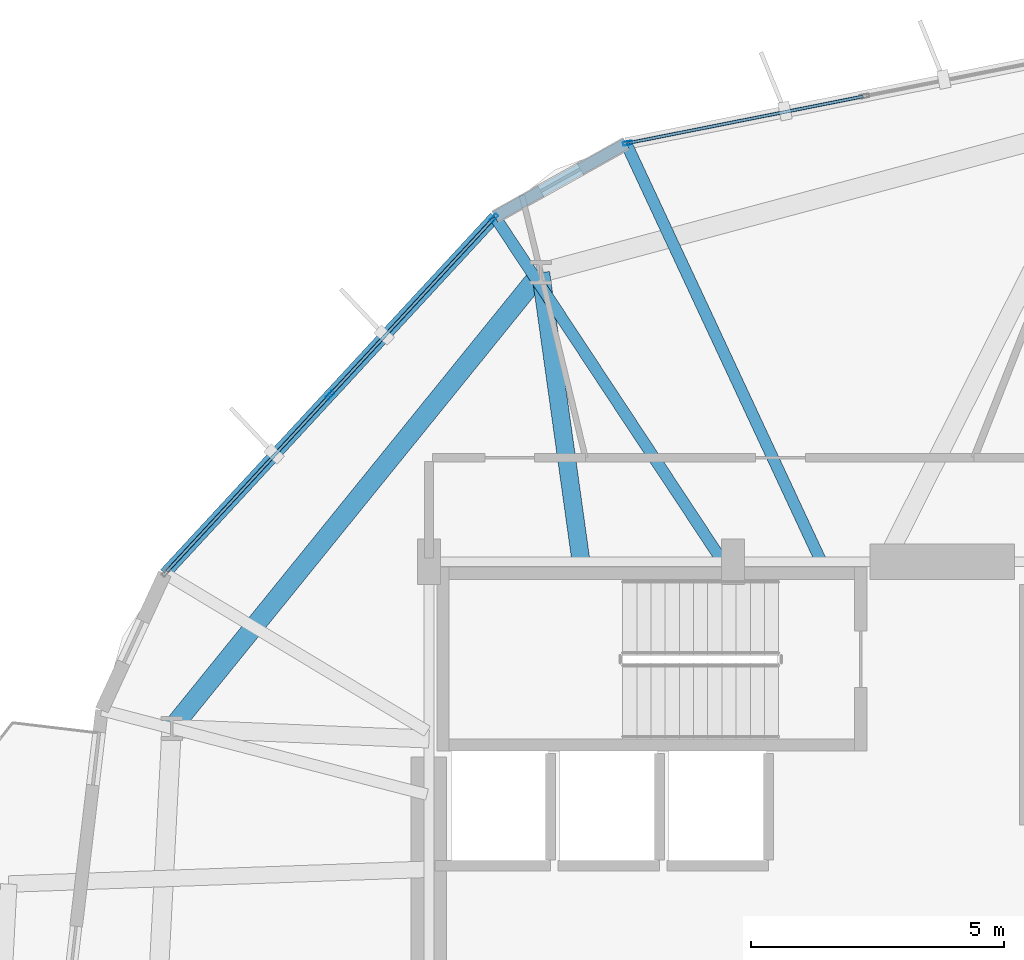
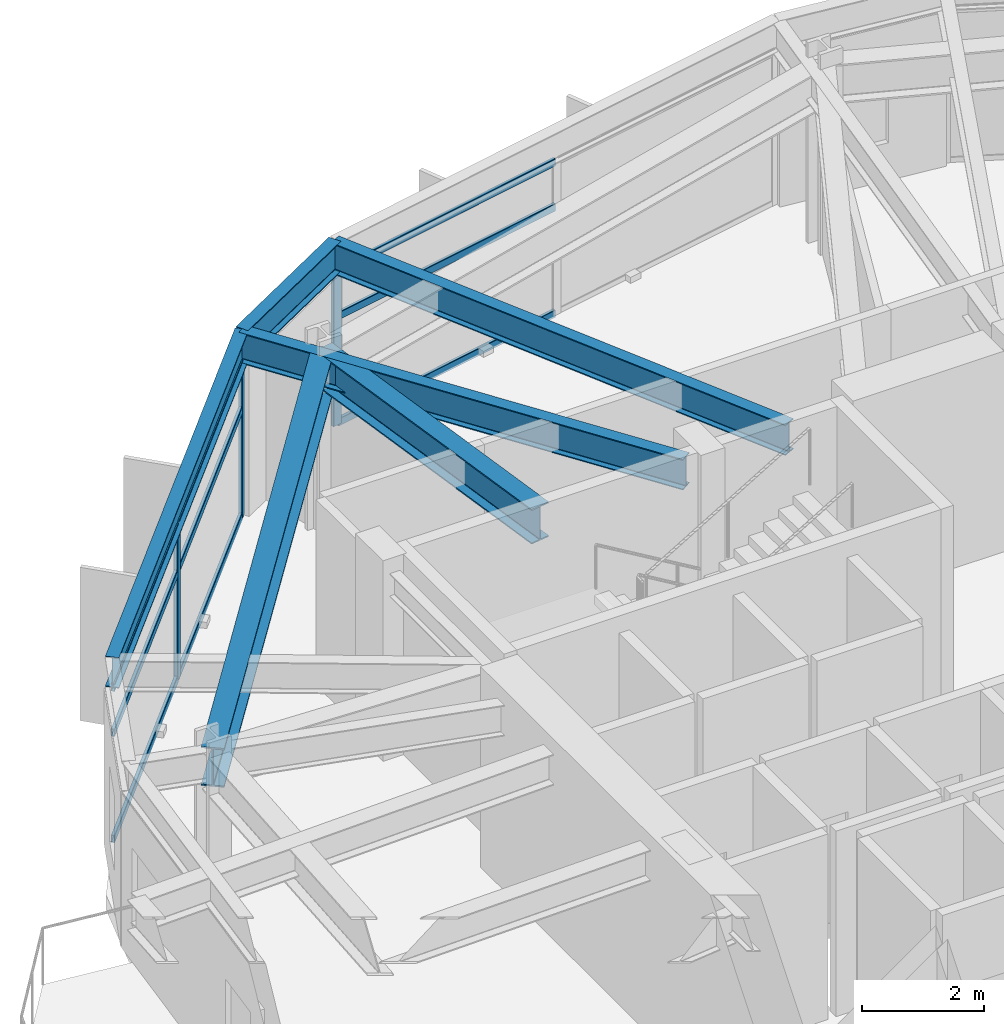
# One storey, part 12 of 22: 12 members, 6 beams, 2 elements without a shape of their own.
"""IFC4 building model written with IfcOpenShell, lengths in metres."""

from ifc_helpers import new_model, si_unit, direction, frame, origin, origin_2d, place, context, subcontext, project, spatial, hollow_rectangle, i_section, extrude, material, layer, layer_set, material_profile, profile_set, type_object, element, aggregate, save


model = new_model("IFC4")

# Units and contexts
model_context = context("Model", 3, precision=1e-05, world=origin(), true_north=direction((0.0, 1.0)))
body_context = subcontext(model_context, "Body", "Model", "MODEL_VIEW")
ifc_project = project(units=[si_unit("LENGTHUNIT", "METRE"), si_unit("AREAUNIT", "SQUARE_METRE"), si_unit("VOLUMEUNIT", "CUBIC_METRE"), si_unit("PLANEANGLEUNIT", "RADIAN"), si_unit("MASSUNIT", "GRAM", prefix="KILO")], contexts=[model_context])

# Site, building, storey
site_placement = place(None, origin())
site = spatial("IfcSite", under=ifc_project, at=site_placement, CompositionType="ELEMENT")
building_placement = place(site_placement, origin())
building = spatial("IfcBuilding", under=site, at=building_placement, Name="Soratama Intermodal Tower", CompositionType="ELEMENT")
storey_placement = place(building_placement, frame((0.0, 0.0, 70.60009765625)))
storey = spatial("IfcBuildingStorey", under=building, at=storey_placement, Name="L16", CompositionType="ELEMENT", Elevation=70.60009765625)

# Beams
ifc_material_1 = material(Name="Structural steel ASTM A992 Grade 50", Category="steel")
ifc_material_profile_1 = material_profile(ifc_material_1, i_section(OverallWidth=0.35498046875, OverallDepth=0.695068359375, WebThickness=0.015380859375, FlangeThickness=0.02490234375, FilletRadius=0.01611328125, at=origin_2d()), Name="W27X146")
ifc_profile_set_1 = profile_set([ifc_material_profile_1], Name="Structural steel ASTM A992 Grade 50")
beam_type_1 = type_object("IfcBeamType", Name="BM-RING-W27X146", PredefinedType="BEAM", material=ifc_profile_set_1)
beam_1_placement = place(storey_placement, frame((35.60009765625, 35.0, 3.352294921875), z_axis=(-0.138332473065, 0.990385847484, 0.0), x_axis=(-0.990385847484, -0.138332473065, 0.0)))
element("IfcBeam", 1, at=beam_1_placement, inside=storey, type_object=beam_type_1, Name="BM-L16-RAD-04", PredefinedType="BEAM", context=body_context, shape_type="SweptSolid", body=[
    extrude(i_section(OverallWidth=0.35498046875, OverallDepth=0.695068359375, WebThickness=0.015380859375, FlangeThickness=0.02490234375, FilletRadius=0.01611328125, at=origin_2d()), origin(), (0.0, 0.0, 1.0), 5.75537109375),
])
ifc_material_2 = material(Name="Structural steel ASTM A992 Grade 50", Category="steel")
ifc_material_profile_2 = material_profile(ifc_material_2, i_section(OverallWidth=0.382080078125, OverallDepth=0.779052734375, WebThickness=0.01806640625, FlangeThickness=0.030029296875, FilletRadius=0.01806640625, at=origin_2d()), Name="W30X191")
ifc_profile_set_2 = profile_set([ifc_material_profile_2], Name="Structural steel ASTM A992 Grade 50")
beam_type_2 = type_object("IfcBeamType", Name="BM-RING-W30X191", PredefinedType="BEAM", material=ifc_profile_set_2)
beam_2_placement = place(storey_placement, frame((34.803955078125, 40.699951171875, 3.310302734375), z_axis=(-0.629334198857, -0.777134779912, 0.0), x_axis=(0.777134779912, -0.629334198857, 0.0)))
element("IfcBeam", 2, at=beam_2_placement, inside=storey, type_object=beam_type_2, Name="BM-L16-RING-04", PredefinedType="BEAM", context=body_context, shape_type="SweptSolid", body=[
    extrude(i_section(OverallWidth=0.382080078125, OverallDepth=0.779052734375, WebThickness=0.01806640625, FlangeThickness=0.030029296875, FilletRadius=0.01806640625, at=origin_2d()), origin(), (0.0, 0.0, 1.0), 11.5693359375),
])
ifc_material_3 = material(Name="Structural steel ASTM A992 Grade 50", Category="steel")
ifc_material_profile_3 = material_profile(ifc_material_3, i_section(OverallWidth=0.22900390625, OverallDepth=0.612060546875, WebThickness=0.011962890625, FlangeThickness=0.01953125, FilletRadius=0.012939453125, at=origin_2d()), Name="W24X84")
ifc_profile_set_3 = profile_set([ifc_material_profile_3], Name="Structural steel ASTM A992 Grade 50")
beam_type_3 = type_object("IfcBeamType", Name="BM-SPN-W24X84", PredefinedType="SPANDREL", material=ifc_profile_set_3)
beam_3_placement = place(storey_placement, frame((36.490966796875, 43.25, 3.393798828125), z_axis=(-0.872759930087, -0.488149674212, 0.0), x_axis=(0.488149674212, -0.872759930087, 0.0)))
element("IfcBeam", 3, at=beam_3_placement, inside=storey, type_object=beam_type_3, Name="BS-L16-CRN03", PredefinedType="SPANDREL", context=body_context, shape_type="SweptSolid", body=[
    extrude(i_section(OverallWidth=0.22900390625, OverallDepth=0.612060546875, WebThickness=0.011962890625, FlangeThickness=0.01953125, FilletRadius=0.012939453125, at=origin_2d()), origin(), (0.0, 0.0, 1.0), 2.96630859375),
])
beam_4_placement = place(storey_placement, frame((33.902099609375, 41.802001953125, 3.393798828125), z_axis=(-0.679207978235, -0.733945857882, 0.0), x_axis=(0.733945857882, -0.679207978235, 0.0)))
element("IfcBeam", 4, at=beam_4_placement, inside=storey, type_object=beam_type_3, Name="BS-L16-F04", PredefinedType="SPANDREL", context=body_context, shape_type="SweptSolid", body=[
    extrude(i_section(OverallWidth=0.22900390625, OverallDepth=0.612060546875, WebThickness=0.011962890625, FlangeThickness=0.01953125, FilletRadius=0.012939453125, at=origin_2d()), origin(), (0.0, 0.0, 1.0), 9.58935546875),
])
ifc_material_4 = material(Name="Structural steel ASTM A992 Grade 50", Category="steel")
ifc_material_profile_4 = material_profile(ifc_material_4, i_section(OverallWidth=0.22900390625, OverallDepth=0.612060546875, WebThickness=0.011962890625, FlangeThickness=0.01953125, FilletRadius=0.012939453125, at=origin_2d()), Name="W24X84")
ifc_profile_set_4 = profile_set([ifc_material_profile_4], Name="Structural steel ASTM A992 Grade 50")
beam_type_4 = type_object("IfcBeamType", Name="BM-TIE-W24X84", PredefinedType="BEAM", material=ifc_profile_set_4)
beam_5_placement = place(storey_placement, frame((40.321044921875, 35.035888671875, 3.393798828125), z_axis=(-0.422597879691, 0.906317291063, 0.0), x_axis=(-0.906317291063, -0.422597879691, 0.0)))
element("IfcBeam", 5, at=beam_5_placement, inside=storey, type_object=beam_type_4, Name="BM-L16-TIE1-03", PredefinedType="BEAM", context=body_context, shape_type="SweptSolid", body=[
    extrude(i_section(OverallWidth=0.22900390625, OverallDepth=0.612060546875, WebThickness=0.011962890625, FlangeThickness=0.01953125, FilletRadius=0.012939453125, at=origin_2d()), origin(), (0.0, 0.0, 1.0), 9.063232421875),
])
beam_6_placement = place(storey_placement, frame((38.373046875, 35.032958984375, 3.393798828125), z_axis=(-0.551132309309, 0.83441786752, 0.0), x_axis=(-0.83441786752, -0.551132309309, 0.0)))
element("IfcBeam", 6, at=beam_6_placement, inside=storey, type_object=beam_type_4, Name="BM-L16-TIE0-04", PredefinedType="BEAM", context=body_context, shape_type="SweptSolid", body=[
    extrude(i_section(OverallWidth=0.22900390625, OverallDepth=0.612060546875, WebThickness=0.011962890625, FlangeThickness=0.01953125, FilletRadius=0.012939453125, at=origin_2d()), origin(), (0.0, 0.0, 1.0), 8.1123046875),
])

# Curtain wall, member
ifc_material_5 = material(Name="Double-glazed aluminium curtain wall", Category="aluminium")
ifc_layer = layer(ifc_material_5, 0.159912109375)
ifc_layer_set = layer_set([ifc_layer], Name="Double-glazed aluminium curtain wall")
curtain_wall_type = type_object("IfcCurtainWallType", Name="CW-SYS-2", PredefinedType="NOTDEFINED", material=ifc_layer_set)
curtain_wall_1_placement = place(storey_placement, origin())
curtain_wall_1 = element("IfcCurtainWall", 7, at=curtain_wall_1_placement, inside=storey, type_object=curtain_wall_type, Name="L16 Faceted Curtain Wall F03", PredefinedType="NOTDEFINED")
ifc_material_6 = material(Name="Anodised aluminium AA 6063-T6", Category="aluminium")
ifc_material_profile_5 = material_profile(ifc_material_6, hollow_rectangle(XDim=0.074951171875, YDim=0.179931640625, WallThickness=0.006103515625, InnerFilletRadius=0.006103515625, OuterFilletRadius=0.011962890625, at=origin_2d()), Name="CWM180X75X6")
ifc_profile_set_5 = profile_set([ifc_material_profile_5], Name="Anodised aluminium AA 6063-T6")
member_type_1 = type_object("IfcMemberType", Name="MT-CWM-2", PredefinedType="MULLION", material=ifc_profile_set_5)
member_1_placement = place(storey_placement, frame((36.520751953125, 43.256103515625, 0.0), z_axis=(0.0, 0.0, 1.0), x_axis=(0.194571779732, -0.980888282391, 0.0)))
member_1 = element("IfcMember", 8, at=member_1_placement, type_object=member_type_1, Name="CW-2 mullion 3", PredefinedType="MULLION", context=body_context, shape_type="SweptSolid", body=[
    extrude(hollow_rectangle(XDim=0.074951171875, YDim=0.179931640625, WallThickness=0.006103515625, InnerFilletRadius=0.006103515625, OuterFilletRadius=0.011962890625, at=origin_2d()), origin(), (0.0, 0.0, 1.0), 3.078857421875),
])

# Curtain wall, members
curtain_wall_2_placement = place(storey_placement, origin())
curtain_wall_2 = element("IfcCurtainWall", 9, at=curtain_wall_2_placement, inside=storey, type_object=curtain_wall_type, Name="L16 Faceted Curtain Wall F04", PredefinedType="NOTDEFINED")
member_2_placement = place(storey_placement, frame((33.882080078125, 41.780029296875, 0.0), z_axis=(0.0, 0.0, 1.0), x_axis=(0.733964923703, -0.679187375305, 0.0)))
member_2 = element("IfcMember", 10, at=member_2_placement, type_object=member_type_1, Name="CW-2 mullion 1", PredefinedType="MULLION", context=body_context, shape_type="SweptSolid", body=[
    extrude(hollow_rectangle(XDim=0.074951171875, YDim=0.179931640625, WallThickness=0.006103515625, InnerFilletRadius=0.006103515625, OuterFilletRadius=0.011962890625, at=origin_2d()), origin(), (0.0, 0.0, 1.0), 3.078857421875),
])
member_3_placement = place(storey_placement, frame((30.645751953125, 38.282958984375, 0.0), z_axis=(0.0, 0.0, 1.0), x_axis=(0.733964923703, -0.679187375305, 0.0)))
member_3 = element("IfcMember", 11, at=member_3_placement, type_object=member_type_1, Name="CW-2 mullion 2", PredefinedType="MULLION", context=body_context, shape_type="SweptSolid", body=[
    extrude(hollow_rectangle(XDim=0.074951171875, YDim=0.179931640625, WallThickness=0.006103515625, InnerFilletRadius=0.006103515625, OuterFilletRadius=0.011962890625, at=origin_2d()), origin(), (0.0, 0.0, 1.0), 3.078857421875),
])

# Member
ifc_material_7 = material(Name="Anodised aluminium AA 6063-T6", Category="aluminium")
ifc_material_profile_6 = material_profile(ifc_material_7, hollow_rectangle(XDim=0.06494140625, YDim=0.14990234375, WallThickness=0.0048828125, InnerFilletRadius=0.0048828125, OuterFilletRadius=0.010009765625, at=origin_2d()), Name="CWT150X65X5")
ifc_profile_set_6 = profile_set([ifc_material_profile_6], Name="Anodised aluminium AA 6063-T6")
member_type_2 = type_object("IfcMemberType", Name="TT-CWT-1", PredefinedType="USERDEFINED", material=ifc_profile_set_6)
member_4_placement = place(storey_placement, frame((41.165283203125, 44.177490234375, 0.02978515625), z_axis=(-0.980884842322, -0.194589121235, 0.0), x_axis=(0.194589121235, -0.980884842322, 0.0)))
member_4 = element("IfcMember", 12, at=member_4_placement, type_object=member_type_2, Name="CW-2 transom 2.1", ObjectType="TRANSOM", PredefinedType="USERDEFINED", context=body_context, shape_type="SweptSolid", body=[
    extrude(hollow_rectangle(XDim=0.06494140625, YDim=0.14990234375, WallThickness=0.0048828125, InnerFilletRadius=0.0048828125, OuterFilletRadius=0.010009765625, at=origin_2d()), origin(), (0.0, 0.0, 1.0), 4.704833984375),
])

member_5_placement = place(storey_placement, frame((41.165283203125, 44.177490234375, 2.14990234375), z_axis=(-0.980884842322, -0.194589121235, 0.0), x_axis=(0.194589121235, -0.980884842322, 0.0)))
member_5 = element("IfcMember", 13, at=member_5_placement, type_object=member_type_2, Name="CW-2 transom 2.2", ObjectType="TRANSOM", PredefinedType="USERDEFINED", context=body_context, shape_type="SweptSolid", body=[
    extrude(hollow_rectangle(XDim=0.06494140625, YDim=0.14990234375, WallThickness=0.0048828125, InnerFilletRadius=0.0048828125, OuterFilletRadius=0.010009765625, at=origin_2d()), origin(), (0.0, 0.0, 1.0), 4.704833984375),
])

member_6_placement = place(storey_placement, frame((41.165283203125, 44.177490234375, 3.048828125), z_axis=(-0.980884842322, -0.194589121235, 0.0), x_axis=(0.194589121235, -0.980884842322, 0.0)))
member_6 = element("IfcMember", 14, at=member_6_placement, type_object=member_type_2, Name="CW-2 transom 2.3", ObjectType="TRANSOM", PredefinedType="USERDEFINED", context=body_context, shape_type="SweptSolid", body=[
    extrude(hollow_rectangle(XDim=0.06494140625, YDim=0.14990234375, WallThickness=0.0048828125, InnerFilletRadius=0.0048828125, OuterFilletRadius=0.010009765625, at=origin_2d()), origin(), (0.0, 0.0, 1.0), 4.704833984375),
])

aggregate(curtain_wall_1, [member_1, member_4, member_5, member_6])

member_7_placement = place(storey_placement, frame((33.861572265625, 41.758056640625, 0.02978515625), z_axis=(-0.679176203544, -0.733975261531, 0.0), x_axis=(0.733975261531, -0.679176203544, 0.0)))
member_7 = element("IfcMember", 15, at=member_7_placement, type_object=member_type_2, Name="CW-2 transom 1.1", ObjectType="TRANSOM", PredefinedType="USERDEFINED", context=body_context, shape_type="SweptSolid", body=[
    extrude(hollow_rectangle(XDim=0.06494140625, YDim=0.14990234375, WallThickness=0.0048828125, InnerFilletRadius=0.0048828125, OuterFilletRadius=0.010009765625, at=origin_2d()), origin(), (0.0, 0.0, 1.0), 4.70458984375),
])

member_8_placement = place(storey_placement, frame((33.861572265625, 41.758056640625, 2.14990234375), z_axis=(-0.679176203544, -0.733975261531, 0.0), x_axis=(0.733975261531, -0.679176203544, 0.0)))
member_8 = element("IfcMember", 16, at=member_8_placement, type_object=member_type_2, Name="CW-2 transom 1.2", ObjectType="TRANSOM", PredefinedType="USERDEFINED", context=body_context, shape_type="SweptSolid", body=[
    extrude(hollow_rectangle(XDim=0.06494140625, YDim=0.14990234375, WallThickness=0.0048828125, InnerFilletRadius=0.0048828125, OuterFilletRadius=0.010009765625, at=origin_2d()), origin(), (0.0, 0.0, 1.0), 4.70458984375),
])

member_9_placement = place(storey_placement, frame((33.861572265625, 41.758056640625, 3.048828125), z_axis=(-0.679176203544, -0.733975261531, 0.0), x_axis=(0.733975261531, -0.679176203544, 0.0)))
member_9 = element("IfcMember", 17, at=member_9_placement, type_object=member_type_2, Name="CW-2 transom 1.3", ObjectType="TRANSOM", PredefinedType="USERDEFINED", context=body_context, shape_type="SweptSolid", body=[
    extrude(hollow_rectangle(XDim=0.06494140625, YDim=0.14990234375, WallThickness=0.0048828125, InnerFilletRadius=0.0048828125, OuterFilletRadius=0.010009765625, at=origin_2d()), origin(), (0.0, 0.0, 1.0), 4.70458984375),
])

member_10_placement = place(storey_placement, frame((30.62548828125, 38.2607421875, 0.02978515625), z_axis=(-0.679204157872, -0.733949393303, 0.0), x_axis=(0.733949393303, -0.679204157872, 0.0)))
member_10 = element("IfcMember", 18, at=member_10_placement, type_object=member_type_2, Name="CW-2 transom 2.1", ObjectType="TRANSOM", PredefinedType="USERDEFINED", context=body_context, shape_type="SweptSolid", body=[
    extrude(hollow_rectangle(XDim=0.06494140625, YDim=0.14990234375, WallThickness=0.0048828125, InnerFilletRadius=0.0048828125, OuterFilletRadius=0.010009765625, at=origin_2d()), origin(), (0.0, 0.0, 1.0), 4.704833984375),
])

member_11_placement = place(storey_placement, frame((30.62548828125, 38.2607421875, 2.14990234375), z_axis=(-0.679204157872, -0.733949393303, 0.0), x_axis=(0.733949393303, -0.679204157872, 0.0)))
member_11 = element("IfcMember", 19, at=member_11_placement, type_object=member_type_2, Name="CW-2 transom 2.2", ObjectType="TRANSOM", PredefinedType="USERDEFINED", context=body_context, shape_type="SweptSolid", body=[
    extrude(hollow_rectangle(XDim=0.06494140625, YDim=0.14990234375, WallThickness=0.0048828125, InnerFilletRadius=0.0048828125, OuterFilletRadius=0.010009765625, at=origin_2d()), origin(), (0.0, 0.0, 1.0), 4.704833984375),
])

member_12_placement = place(storey_placement, frame((30.62548828125, 38.2607421875, 3.048828125), z_axis=(-0.679204157872, -0.733949393303, 0.0), x_axis=(0.733949393303, -0.679204157872, 0.0)))
member_12 = element("IfcMember", 20, at=member_12_placement, type_object=member_type_2, Name="CW-2 transom 2.3", ObjectType="TRANSOM", PredefinedType="USERDEFINED", context=body_context, shape_type="SweptSolid", body=[
    extrude(hollow_rectangle(XDim=0.06494140625, YDim=0.14990234375, WallThickness=0.0048828125, InnerFilletRadius=0.0048828125, OuterFilletRadius=0.010009765625, at=origin_2d()), origin(), (0.0, 0.0, 1.0), 4.704833984375),
])

aggregate(curtain_wall_2, [member_2, member_3, member_7, member_8, member_9, member_10, member_11, member_12])

save(model, "model.ifc")
